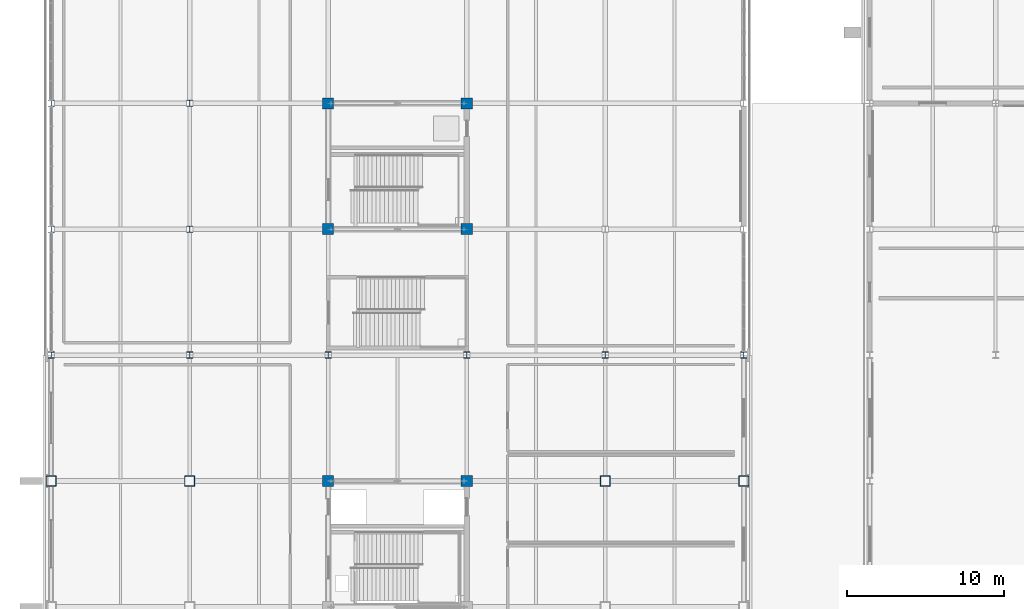
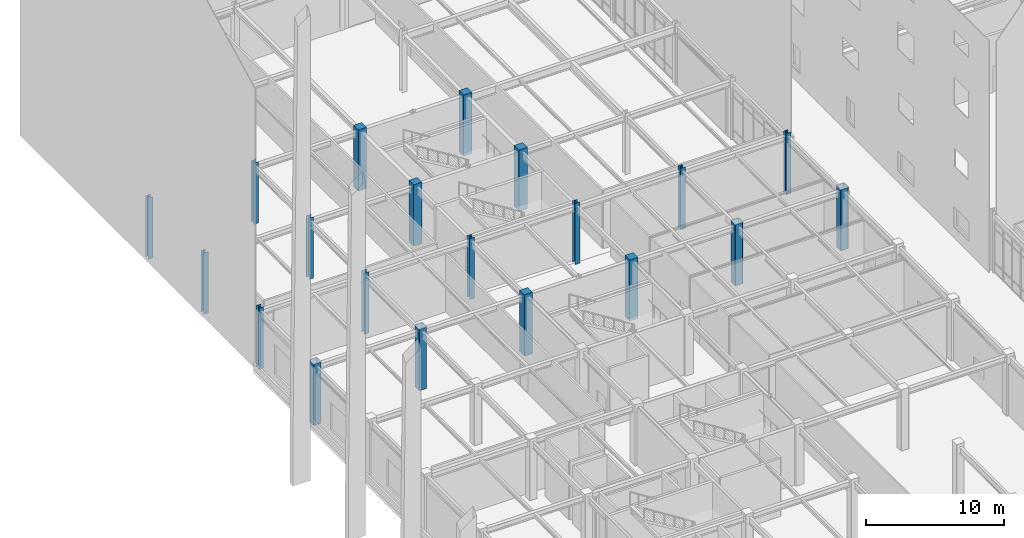
# One storey, part 10 of 119: 20 columns.
"""IFC4 building model written with IfcOpenShell, lengths in metres."""

from ifc_helpers import new_model, si_unit, direction, frame, origin, origin_2d, place, context, subcontext, project, spatial, rectangle, hollow_rectangle, i_section, extrude, material, material_profile, profile_set, type_object, element, save


model = new_model("IFC4")

# Units and contexts
model_context = context("Model", 3, precision=1e-05, world=origin(), true_north=direction((0.0, 1.0)))
body_context = subcontext(model_context, "Body", "Model", "MODEL_VIEW")
ifc_project = project(units=[si_unit("LENGTHUNIT", "METRE"), si_unit("AREAUNIT", "SQUARE_METRE"), si_unit("VOLUMEUNIT", "CUBIC_METRE"), si_unit("PLANEANGLEUNIT", "RADIAN"), si_unit("MASSUNIT", "GRAM", prefix="KILO")], contexts=[model_context])

# Site, building, storey
site_placement = place(None, origin())
site = spatial("IfcSite", under=ifc_project, at=site_placement, CompositionType="ELEMENT")
building_placement = place(site_placement, origin())
building = spatial("IfcBuilding", under=site, at=building_placement, Name="Zhaolan Boulevard Law Courts", CompositionType="ELEMENT")
storey_placement = place(building_placement, origin())
storey = spatial("IfcBuildingStorey", under=building, at=storey_placement, Name="L00", CompositionType="ELEMENT", Elevation=0.0)

# Columns
ifc_material_1 = material(Name="Structural steel Q390B", Category="steel")
ifc_material_profile_1 = material_profile(ifc_material_1, hollow_rectangle(XDim=0.64990234375, YDim=0.64990234375, WallThickness=0.02587890625, InnerFilletRadius=0.02587890625, OuterFilletRadius=0.052001953125, at=origin_2d()), Name="BOX650x650x26")
ifc_profile_set_1 = profile_set([ifc_material_profile_1], Name="Structural steel Q390B")
column_type_1 = type_object("IfcColumnType", Name="COL BOX650", PredefinedType="COLUMN", material=ifc_profile_set_1)
for number, where, z_axis, x_axis, name in (
    (1, (0.0, 70.0, 0.0), (0.0, 0.0, 1.0), (1.0, 0.0, 0.0), "Column C-1K (L00)"),
    (2, (8.800048828125, 70.0, 0.0), (0.0, 0.0, 1.0), (1.0, 0.0, 0.0), "Column C-2K (L00)"),
    (3, (35.199951171875, 70.0, 0.0), (0.0, 0.0, 1.0), (1.0, 0.0, 0.0), "Column C-5K (L00)"),
    (4, (44.0, 70.0, 0.0), (0.0, 0.0, 1.0), (1.0, 0.0, 0.0), "Column C-6K (L00)"),
):
    element("IfcColumn", number, at=place(storey_placement, frame(where, z_axis=z_axis, x_axis=x_axis)), inside=storey, type_object=column_type_1, Name=name, PredefinedType="COLUMN", context=body_context, shape_type="SweptSolid", body=[
        extrude(hollow_rectangle(XDim=0.64990234375, YDim=0.64990234375, WallThickness=0.02587890625, InnerFilletRadius=0.02587890625, OuterFilletRadius=0.052001953125, at=origin_2d()), origin(), (0.0, 0.0, 1.0), 5.39990234375),
    ])
ifc_material_2 = material(Name="Structural steel Q390B", Category="steel")
ifc_material_profile_2 = material_profile(ifc_material_2, i_section(OverallWidth=0.39990234375, OverallDepth=0.39990234375, WebThickness=0.012939453125, FlangeThickness=0.02099609375, FilletRadius=0.02197265625, at=origin_2d()), Name="HW400x400")
ifc_profile_set_2 = profile_set([ifc_material_profile_2], Name="Structural steel Q390B")
column_type_2 = type_object("IfcColumnType", Name="COL HW400", PredefinedType="COLUMN", material=ifc_profile_set_2)
for number, where, z_axis, x_axis, name in (
    (5, (0.0, 78.0, 0.0), (0.0, 0.0, 1.0), (1.0, 0.0, 0.0), "Column C-1L (L00)"),
    (6, (0.0, 86.0, 0.0), (0.0, 0.0, 1.0), (1.0, 0.0, 0.0), "Column C-1M (L00)"),
    (7, (0.0, 94.0, 0.0), (0.0, 0.0, 1.0), (1.0, 0.0, 0.0), "Column C-1N (L00)"),
    (8, (8.800048828125, 78.0, 0.0), (0.0, 0.0, 1.0), (1.0, 0.0, 0.0), "Column C-2L (L00)"),
    (9, (8.800048828125, 86.0, 0.0), (0.0, 0.0, 1.0), (1.0, 0.0, 0.0), "Column C-2M (L00)"),
    (10, (8.800048828125, 94.0, 0.0), (0.0, 0.0, 1.0), (1.0, 0.0, 0.0), "Column C-2N (L00)"),
    (11, (17.60009765625, 78.0, 0.0), (0.0, 0.0, 1.0), (1.0, 0.0, 0.0), "Column C-3L (L00)"),
    (12, (26.39990234375, 78.0, 0.0), (0.0, 0.0, 1.0), (1.0, 0.0, 0.0), "Column C-4L (L00)"),
    (13, (35.199951171875, 78.0, 0.0), (0.0, 0.0, 1.0), (1.0, 0.0, 0.0), "Column C-5L (L00)"),
    (14, (44.0, 78.0, 0.0), (0.0, 0.0, 1.0), (1.0, 0.0, 0.0), "Column C-6L (L00)"),
):
    element("IfcColumn", number, at=place(storey_placement, frame(where, z_axis=z_axis, x_axis=x_axis)), inside=storey, type_object=column_type_2, Name=name, PredefinedType="COLUMN", context=body_context, shape_type="SweptSolid", body=[
        extrude(i_section(OverallWidth=0.39990234375, OverallDepth=0.39990234375, WebThickness=0.012939453125, FlangeThickness=0.02099609375, FilletRadius=0.02197265625, at=origin_2d()), origin(), (0.0, 0.0, 1.0), 5.39990234375),
    ])
ifc_material_3 = material(Name="Concrete C50", Category="concrete")
ifc_material_profile_3 = material_profile(ifc_material_3, rectangle(XDim=0.699951171875, YDim=0.699951171875, at=origin_2d()), Name="RC700x700")
ifc_profile_set_3 = profile_set([ifc_material_profile_3], Name="Concrete C50")
column_type_3 = type_object("IfcColumnType", Name="COL RC700", PredefinedType="COLUMN", material=ifc_profile_set_3)
for number, where, z_axis, x_axis, name in (
    (15, (17.60009765625, 70.0, 0.0), (0.0, 0.0, 1.0), (1.0, 0.0, 0.0), "Column C-3K (L00)"),
    (16, (17.60009765625, 86.0, 0.0), (0.0, 0.0, 1.0), (1.0, 0.0, 0.0), "Column C-3M (L00)"),
    (17, (17.60009765625, 94.0, 0.0), (0.0, 0.0, 1.0), (1.0, 0.0, 0.0), "Column C-3N (L00)"),
    (18, (26.39990234375, 70.0, 0.0), (0.0, 0.0, 1.0), (1.0, 0.0, 0.0), "Column C-4K (L00)"),
    (19, (26.39990234375, 86.0, 0.0), (0.0, 0.0, 1.0), (1.0, 0.0, 0.0), "Column C-4M (L00)"),
    (20, (26.39990234375, 94.0, 0.0), (0.0, 0.0, 1.0), (1.0, 0.0, 0.0), "Column C-4N (L00)"),
):
    element("IfcColumn", number, at=place(storey_placement, frame(where, z_axis=z_axis, x_axis=x_axis)), inside=storey, type_object=column_type_3, Name=name, PredefinedType="COLUMN", context=body_context, shape_type="SweptSolid", body=[
        extrude(rectangle(XDim=0.699951171875, YDim=0.699951171875, at=origin_2d()), origin(), (0.0, 0.0, 1.0), 5.39990234375),
    ])

save(model, "model.ifc")
